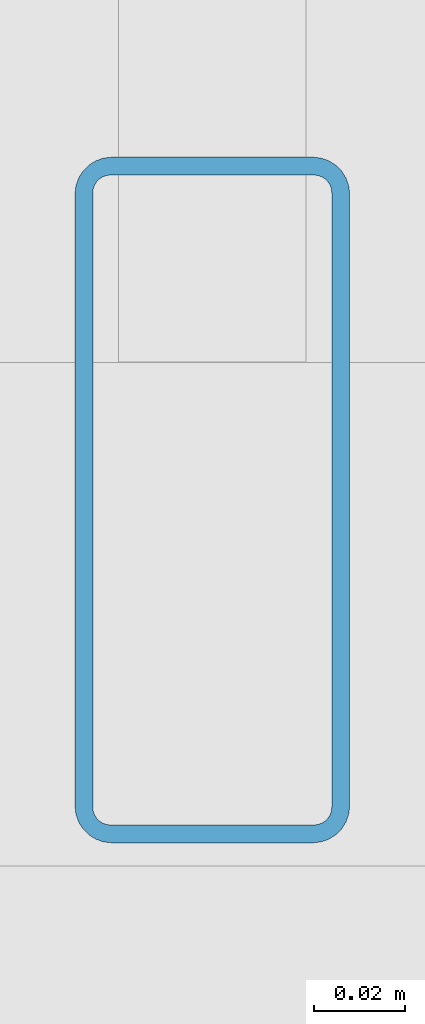
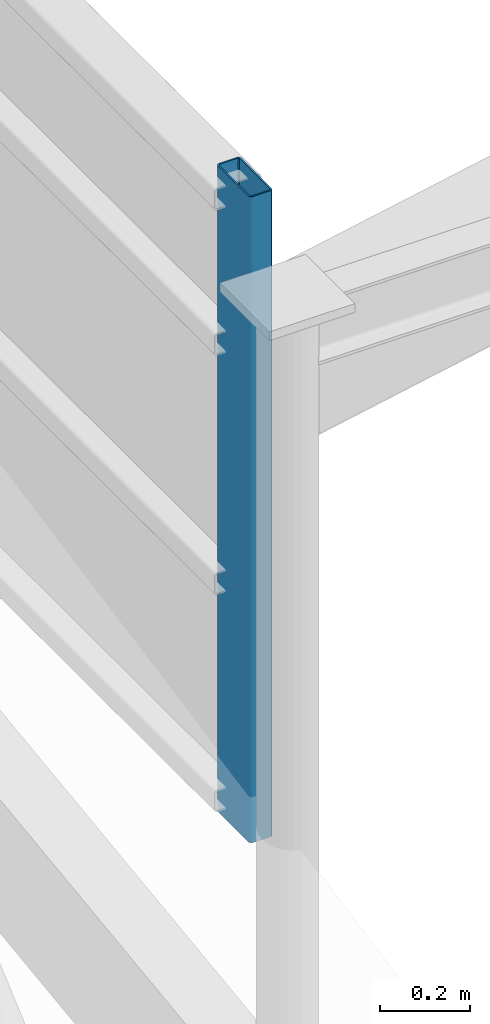
# One storey, part 83 of 188: 1 member, 1 element without a shape of its own.
"""IFC4 building model written with IfcOpenShell, lengths in metres."""

from ifc_helpers import new_model, si_unit, direction, frame, origin, origin_2d, place, context, subcontext, project, spatial, hollow_rectangle, extrude, material, layer, layer_set, material_profile, profile_set, type_object, element, aggregate, save


model = new_model("IFC4")

# Units and contexts
model_context = context("Model", 3, precision=1e-05, world=origin(), true_north=direction((0.0, 1.0)))
body_context = subcontext(model_context, "Body", "Model", "MODEL_VIEW")
ifc_project = project(units=[si_unit("LENGTHUNIT", "METRE"), si_unit("AREAUNIT", "SQUARE_METRE"), si_unit("VOLUMEUNIT", "CUBIC_METRE"), si_unit("PLANEANGLEUNIT", "RADIAN"), si_unit("MASSUNIT", "GRAM", prefix="KILO")], contexts=[model_context])

# Site, building, storey
site_placement = place(None, origin())
site = spatial("IfcSite", under=ifc_project, at=site_placement, CompositionType="ELEMENT")
building_placement = place(site_placement, origin())
building = spatial("IfcBuilding", under=site, at=building_placement, Name="Kisaragi Civic Commons", CompositionType="ELEMENT")
storey_placement = place(building_placement, frame((0.0, 0.0, 9.60009765625)))
storey = spatial("IfcBuildingStorey", under=building, at=storey_placement, Name="L02", CompositionType="ELEMENT", Elevation=9.60009765625)

# Curtain wall, member
ifc_material = material(Name="Thermally broken anodized aluminium and low-E double glazing", Category="aluminium")
ifc_layer = layer(ifc_material, 0.14990234375, Name="Thermally broken anodized aluminium and low-E double glazing", Category="aluminium")
ifc_layer_set = layer_set([ifc_layer], Name="Thermally broken anodized aluminium and low-E double glazing")
curtain_wall_type = type_object("IfcCurtainWallType", Name="CW-03", PredefinedType="NOTDEFINED", material=ifc_layer_set)
curtain_wall_placement = place(storey_placement, origin())
curtain_wall = element("IfcCurtainWall", 1, at=curtain_wall_placement, inside=storey, type_object=curtain_wall_type, Name="L02 curtain wall CW-03 CW-CL-V2-185", PredefinedType="NOTDEFINED")
ifc_material_profile = material_profile(ifc_material, hollow_rectangle(XDim=0.06005859375, YDim=0.14990234375, WallThickness=0.00390625, InnerFilletRadius=0.00390625, OuterFilletRadius=0.008056640625, at=origin_2d()), Name="CWM-60x150x4", Category="aluminium")
ifc_profile_set = profile_set([ifc_material_profile], Name="Thermally broken anodized aluminium and low-E double glazing")
member_type = type_object("IfcMemberType", Name="CWM-01", PredefinedType="MULLION", material=ifc_profile_set)
member_placement = place(storey_placement, frame((13.60009765625, 96.07568359375, 3.93408203125), z_axis=(0.0, 0.0, 1.0), x_axis=(-1.0, 0.0, 0.0)))
member = element("IfcMember", 2, at=member_placement, type_object=member_type, Name="CW-03 mullion 1", PredefinedType="MULLION", context=body_context, shape_type="SweptSolid", body=[
    extrude(hollow_rectangle(XDim=0.06005859375, YDim=0.14990234375, WallThickness=0.00390625, InnerFilletRadius=0.00390625, OuterFilletRadius=0.008056640625, at=origin_2d()), origin(), (0.0, 0.0, 1.0), 1.754638671875),
])
aggregate(curtain_wall, [member])

save(model, "model.ifc")
